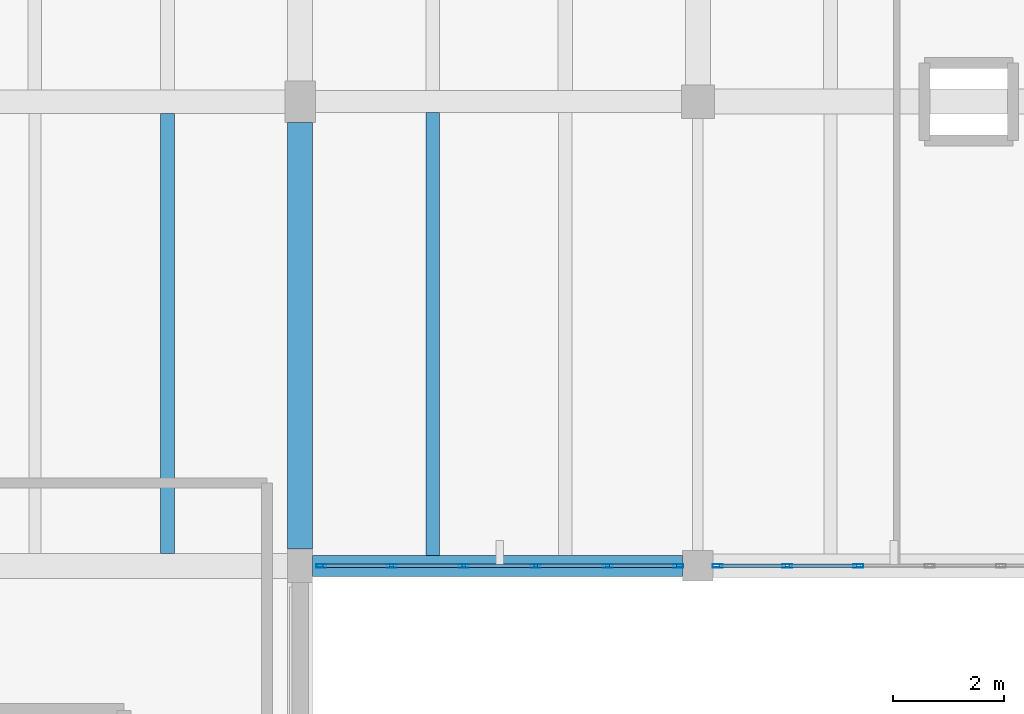
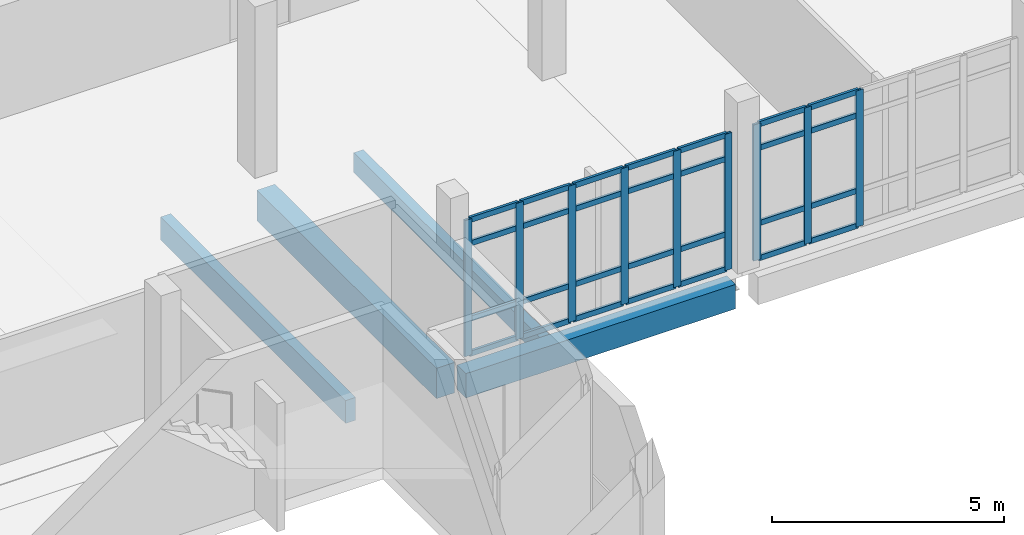
# One storey, part 13 of 41: 37 members, 4 beams, 2 elements without a shape of their own.
"""IFC4 building model written with IfcOpenShell, lengths in metres."""

from ifc_helpers import new_model, si_unit, direction, frame, origin, origin_2d, place, context, subcontext, project, spatial, rectangle, hollow_rectangle, extrude, material, material_profile, profile_set, type_object, element, aggregate, save


model = new_model("IFC4")

# Units and contexts
model_context = context("Model", 3, precision=1e-05, world=origin(), true_north=direction((0.0, 1.0)))
body_context = subcontext(model_context, "Body", "Model", "MODEL_VIEW")
ifc_project = project(units=[si_unit("LENGTHUNIT", "METRE"), si_unit("AREAUNIT", "SQUARE_METRE"), si_unit("VOLUMEUNIT", "CUBIC_METRE"), si_unit("PLANEANGLEUNIT", "RADIAN"), si_unit("MASSUNIT", "GRAM", prefix="KILO")], contexts=[model_context])

# Site, building, storey
site_placement = place(None, origin())
site = spatial("IfcSite", under=ifc_project, at=site_placement, CompositionType="ELEMENT")
building_placement = place(site_placement, origin())
building = spatial("IfcBuilding", under=site, at=building_placement, Name="Kalluvel Institute of Natural Sciences", CompositionType="ELEMENT")
storey_placement = place(building_placement, frame((0.0, 0.0, 32.39990234375)))
storey = spatial("IfcBuildingStorey", under=building, at=storey_placement, Name="L07", CompositionType="ELEMENT", Elevation=32.39990234375)

# Beams
ifc_material_1 = material(Name="Concrete M40", Category="concrete")
ifc_material_profile_1 = material_profile(ifc_material_1, rectangle(XDim=0.3798828125, YDim=0.639892578125, at=origin_2d()), Name="RCB 380x640")
ifc_profile_set_1 = profile_set([ifc_material_profile_1], Name="Concrete M40")
beam_type_1 = type_object("IfcBeamType", Name="BM-RC380x640", PredefinedType="BEAM", material=ifc_profile_set_1)
beam_1_placement = place(storey_placement, frame((57.425048828125, 102.800048828125, -0.639892578125), z_axis=(1.0, 0.0, 0.0), x_axis=(0.0, 1.0, 0.0)))
element("IfcBeam", 1, at=beam_1_placement, inside=storey, type_object=beam_type_1, Name="L07 girder GIR-L07-EW-X572-Y1028", PredefinedType="BEAM", context=body_context, shape_type="SweptSolid", body=[
    extrude(rectangle(XDim=0.3798828125, YDim=0.639892578125, at=origin_2d()), origin(), (0.0, 0.0, 1.0), 6.699951171875),
])
ifc_material_profile_2 = material_profile(ifc_material_1, rectangle(XDim=0.449951171875, YDim=0.800048828125, at=origin_2d()), Name="RCB 450x800")
ifc_profile_set_2 = profile_set([ifc_material_profile_2], Name="Concrete M40")
beam_type_2 = type_object("IfcBeamType", Name="BM-RC450x800", PredefinedType="BEAM", material=ifc_profile_set_2)
beam_2_placement = place(storey_placement, frame((57.199951171875, 103.10009765625, -0.719970703125), z_axis=(0.0, 1.0, 0.0), x_axis=(-1.0, 0.0, 0.0)))
element("IfcBeam", 2, at=beam_2_placement, inside=storey, type_object=beam_type_2, Name="L07 girder GIR-L07-NS-X572-Y1028", PredefinedType="BEAM", context=body_context, shape_type="SweptSolid", body=[
    extrude(rectangle(XDim=0.449951171875, YDim=0.800048828125, at=origin_2d()), origin(), (0.0, 0.0, 1.0), 7.724853515625),
])

# Curtain wall, members
ifc_material_2 = material(Name="Aluminium AW-6063 T6", Category="aluminium")
curtain_wall_type = type_object("IfcCurtainWallType", Name="CW-WET-45", PredefinedType="USERDEFINED", material=ifc_material_2)
curtain_wall_1_placement = place(storey_placement, origin())
curtain_wall_1 = element("IfcCurtainWall", 3, at=curtain_wall_1_placement, inside=storey, type_object=curtain_wall_type, Name="L07 Gothic lancet curtain wall CWA-L07-X576-Y1028", ObjectType="UNITISED LANCET FACADE", PredefinedType="USERDEFINED")
ifc_material_profile_3 = material_profile(ifc_material_2, hollow_rectangle(XDim=0.06494140625, YDim=0.179931640625, WallThickness=0.00439453125, at=origin_2d()), Name="CWM 65x180")
ifc_profile_set_3 = profile_set([ifc_material_profile_3], Name="Aluminium AW-6063 T6")
member_type_1 = type_object("IfcMemberType", Name="CWM-65x180", PredefinedType="MULLION", material=ifc_profile_set_3)
member_1_placement = place(storey_placement, frame((57.58251953125, 102.800048828125, 0.0), z_axis=(0.0, 0.0, 1.0), x_axis=(0.0, 1.0, 0.0)))
member_1 = element("IfcMember", 4, at=member_1_placement, type_object=member_type_1, Name="CW-01 mullion 1", PredefinedType="MULLION", context=body_context, shape_type="SweptSolid", body=[
    extrude(hollow_rectangle(XDim=0.06494140625, YDim=0.179931640625, WallThickness=0.00439453125, at=origin_2d()), origin(), (0.0, 0.0, 1.0), 3.580078125),
])
member_2_placement = place(storey_placement, frame((58.85498046875, 102.800048828125, 0.0), z_axis=(0.0, 0.0, 1.0), x_axis=(0.0, 1.0, 0.0)))
member_2 = element("IfcMember", 5, at=member_2_placement, type_object=member_type_1, Name="CW-01 mullion 2", PredefinedType="MULLION", context=body_context, shape_type="SweptSolid", body=[
    extrude(hollow_rectangle(XDim=0.06494140625, YDim=0.179931640625, WallThickness=0.00439453125, at=origin_2d()), origin(), (0.0, 0.0, 1.0), 3.580078125),
])
member_3_placement = place(storey_placement, frame((60.159912109375, 102.800048828125, 0.0), z_axis=(0.0, 0.0, 1.0), x_axis=(0.0, 1.0, 0.0)))
member_3 = element("IfcMember", 6, at=member_3_placement, type_object=member_type_1, Name="CW-01 mullion 3", PredefinedType="MULLION", context=body_context, shape_type="SweptSolid", body=[
    extrude(hollow_rectangle(XDim=0.06494140625, YDim=0.179931640625, WallThickness=0.00439453125, at=origin_2d()), origin(), (0.0, 0.0, 1.0), 3.580078125),
])
member_4_placement = place(storey_placement, frame((61.465087890625, 102.800048828125, 0.0), z_axis=(0.0, 0.0, 1.0), x_axis=(0.0, 1.0, 0.0)))
member_4 = element("IfcMember", 7, at=member_4_placement, type_object=member_type_1, Name="CW-01 mullion 4", PredefinedType="MULLION", context=body_context, shape_type="SweptSolid", body=[
    extrude(hollow_rectangle(XDim=0.06494140625, YDim=0.179931640625, WallThickness=0.00439453125, at=origin_2d()), origin(), (0.0, 0.0, 1.0), 3.580078125),
])
member_5_placement = place(storey_placement, frame((62.77001953125, 102.800048828125, 0.0), z_axis=(0.0, 0.0, 1.0), x_axis=(0.0, 1.0, 0.0)))
member_5 = element("IfcMember", 8, at=member_5_placement, type_object=member_type_1, Name="CW-01 mullion 5", PredefinedType="MULLION", context=body_context, shape_type="SweptSolid", body=[
    extrude(hollow_rectangle(XDim=0.06494140625, YDim=0.179931640625, WallThickness=0.00439453125, at=origin_2d()), origin(), (0.0, 0.0, 1.0), 3.580078125),
])
member_6_placement = place(storey_placement, frame((64.04248046875, 102.800048828125, 0.0), z_axis=(0.0, 0.0, 1.0), x_axis=(0.0, 1.0, 0.0)))
member_6 = element("IfcMember", 9, at=member_6_placement, type_object=member_type_1, Name="CW-01 mullion 6", PredefinedType="MULLION", context=body_context, shape_type="SweptSolid", body=[
    extrude(hollow_rectangle(XDim=0.06494140625, YDim=0.179931640625, WallThickness=0.00439453125, at=origin_2d()), origin(), (0.0, 0.0, 1.0), 3.580078125),
])

curtain_wall_2_placement = place(storey_placement, origin())
curtain_wall_2 = element("IfcCurtainWall", 10, at=curtain_wall_2_placement, inside=storey, type_object=curtain_wall_type, Name="L07 Gothic lancet curtain wall CWA-L07-X647-Y1028", ObjectType="UNITISED LANCET FACADE", PredefinedType="USERDEFINED")
member_7_placement = place(storey_placement, frame((64.757568359375, 102.800048828125, 0.0), z_axis=(0.0, 0.0, 1.0), x_axis=(0.0, 1.0, 0.0)))
member_7 = element("IfcMember", 11, at=member_7_placement, type_object=member_type_1, Name="CW-01 mullion 1", PredefinedType="MULLION", context=body_context, shape_type="SweptSolid", body=[
    extrude(hollow_rectangle(XDim=0.06494140625, YDim=0.179931640625, WallThickness=0.00439453125, at=origin_2d()), origin(), (0.0, 0.0, 1.0), 3.580078125),
])
member_8_placement = place(storey_placement, frame((66.014892578125, 102.800048828125, 0.0), z_axis=(0.0, 0.0, 1.0), x_axis=(0.0, 1.0, 0.0)))
member_8 = element("IfcMember", 12, at=member_8_placement, type_object=member_type_1, Name="CW-01 mullion 2", PredefinedType="MULLION", context=body_context, shape_type="SweptSolid", body=[
    extrude(hollow_rectangle(XDim=0.06494140625, YDim=0.179931640625, WallThickness=0.00439453125, at=origin_2d()), origin(), (0.0, 0.0, 1.0), 3.580078125),
])
member_9_placement = place(storey_placement, frame((67.304931640625, 102.800048828125, 0.0), z_axis=(0.0, 0.0, 1.0), x_axis=(0.0, 1.0, 0.0)))
member_9 = element("IfcMember", 13, at=member_9_placement, type_object=member_type_1, Name="CW-01 mullion 3", PredefinedType="MULLION", context=body_context, shape_type="SweptSolid", body=[
    extrude(hollow_rectangle(XDim=0.06494140625, YDim=0.179931640625, WallThickness=0.00439453125, at=origin_2d()), origin(), (0.0, 0.0, 1.0), 3.580078125),
])

# Member
ifc_material_profile_4 = material_profile(ifc_material_2, hollow_rectangle(XDim=0.06494140625, YDim=0.139892578125, WallThickness=0.00439453125, at=origin_2d()), Name="CWT 65x140")
ifc_profile_set_4 = profile_set([ifc_material_profile_4], Name="Aluminium AW-6063 T6")
member_type_2 = type_object("IfcMemberType", Name="CWT-65x140", PredefinedType="USERDEFINED", material=ifc_profile_set_4)
member_10_placement = place(storey_placement, frame((57.614990234375, 102.800048828125, 0.03271484375), z_axis=(1.0, 0.0, 0.0), x_axis=(0.0, 1.0, 0.0)))
member_10 = element("IfcMember", 14, at=member_10_placement, type_object=member_type_2, Name="CW-01 transom 1.1", ObjectType="TRANSOM", PredefinedType="USERDEFINED", context=body_context, shape_type="SweptSolid", body=[
    extrude(hollow_rectangle(XDim=0.06494140625, YDim=0.139892578125, WallThickness=0.00439453125, at=origin_2d()), origin(), (0.0, 0.0, 1.0), 1.20751953125),
])

member_11_placement = place(storey_placement, frame((57.614990234375, 102.800048828125, 0.9501953125), z_axis=(1.0, 0.0, 0.0), x_axis=(0.0, 1.0, 0.0)))
member_11 = element("IfcMember", 15, at=member_11_placement, type_object=member_type_2, Name="CW-01 transom 1.2", ObjectType="TRANSOM", PredefinedType="USERDEFINED", context=body_context, shape_type="SweptSolid", body=[
    extrude(hollow_rectangle(XDim=0.06494140625, YDim=0.139892578125, WallThickness=0.00439453125, at=origin_2d()), origin(), (0.0, 0.0, 1.0), 1.20751953125),
])

member_12_placement = place(storey_placement, frame((57.614990234375, 102.800048828125, 2.93017578125), z_axis=(1.0, 0.0, 0.0), x_axis=(0.0, 1.0, 0.0)))
member_12 = element("IfcMember", 16, at=member_12_placement, type_object=member_type_2, Name="CW-01 transom 1.3", ObjectType="TRANSOM", PredefinedType="USERDEFINED", context=body_context, shape_type="SweptSolid", body=[
    extrude(hollow_rectangle(XDim=0.06494140625, YDim=0.139892578125, WallThickness=0.00439453125, at=origin_2d()), origin(), (0.0, 0.0, 1.0), 1.20751953125),
])

member_13_placement = place(storey_placement, frame((57.614990234375, 102.800048828125, 3.547607421875), z_axis=(1.0, 0.0, 0.0), x_axis=(0.0, 1.0, 0.0)))
member_13 = element("IfcMember", 17, at=member_13_placement, type_object=member_type_2, Name="CW-01 transom 1.4", ObjectType="TRANSOM", PredefinedType="USERDEFINED", context=body_context, shape_type="SweptSolid", body=[
    extrude(hollow_rectangle(XDim=0.06494140625, YDim=0.139892578125, WallThickness=0.00439453125, at=origin_2d()), origin(), (0.0, 0.0, 1.0), 1.20751953125),
])

member_14_placement = place(storey_placement, frame((58.887451171875, 102.800048828125, 0.03271484375), z_axis=(1.0, 0.0, 0.0), x_axis=(0.0, 1.0, 0.0)))
member_14 = element("IfcMember", 18, at=member_14_placement, type_object=member_type_2, Name="CW-01 transom 2.1", ObjectType="TRANSOM", PredefinedType="USERDEFINED", context=body_context, shape_type="SweptSolid", body=[
    extrude(hollow_rectangle(XDim=0.06494140625, YDim=0.139892578125, WallThickness=0.00439453125, at=origin_2d()), origin(), (0.0, 0.0, 1.0), 1.239990234375),
])

member_15_placement = place(storey_placement, frame((58.887451171875, 102.800048828125, 0.9501953125), z_axis=(1.0, 0.0, 0.0), x_axis=(0.0, 1.0, 0.0)))
member_15 = element("IfcMember", 19, at=member_15_placement, type_object=member_type_2, Name="CW-01 transom 2.2", ObjectType="TRANSOM", PredefinedType="USERDEFINED", context=body_context, shape_type="SweptSolid", body=[
    extrude(hollow_rectangle(XDim=0.06494140625, YDim=0.139892578125, WallThickness=0.00439453125, at=origin_2d()), origin(), (0.0, 0.0, 1.0), 1.239990234375),
])

member_16_placement = place(storey_placement, frame((58.887451171875, 102.800048828125, 2.93017578125), z_axis=(1.0, 0.0, 0.0), x_axis=(0.0, 1.0, 0.0)))
member_16 = element("IfcMember", 20, at=member_16_placement, type_object=member_type_2, Name="CW-01 transom 2.3", ObjectType="TRANSOM", PredefinedType="USERDEFINED", context=body_context, shape_type="SweptSolid", body=[
    extrude(hollow_rectangle(XDim=0.06494140625, YDim=0.139892578125, WallThickness=0.00439453125, at=origin_2d()), origin(), (0.0, 0.0, 1.0), 1.239990234375),
])

member_17_placement = place(storey_placement, frame((58.887451171875, 102.800048828125, 3.547607421875), z_axis=(1.0, 0.0, 0.0), x_axis=(0.0, 1.0, 0.0)))
member_17 = element("IfcMember", 21, at=member_17_placement, type_object=member_type_2, Name="CW-01 transom 2.4", ObjectType="TRANSOM", PredefinedType="USERDEFINED", context=body_context, shape_type="SweptSolid", body=[
    extrude(hollow_rectangle(XDim=0.06494140625, YDim=0.139892578125, WallThickness=0.00439453125, at=origin_2d()), origin(), (0.0, 0.0, 1.0), 1.239990234375),
])

member_18_placement = place(storey_placement, frame((60.1923828125, 102.800048828125, 0.03271484375), z_axis=(1.0, 0.0, 0.0), x_axis=(0.0, 1.0, 0.0)))
member_18 = element("IfcMember", 22, at=member_18_placement, type_object=member_type_2, Name="CW-01 transom 3.1", ObjectType="TRANSOM", PredefinedType="USERDEFINED", context=body_context, shape_type="SweptSolid", body=[
    extrude(hollow_rectangle(XDim=0.06494140625, YDim=0.139892578125, WallThickness=0.00439453125, at=origin_2d()), origin(), (0.0, 0.0, 1.0), 1.240234375),
])

member_19_placement = place(storey_placement, frame((60.1923828125, 102.800048828125, 0.9501953125), z_axis=(1.0, 0.0, 0.0), x_axis=(0.0, 1.0, 0.0)))
member_19 = element("IfcMember", 23, at=member_19_placement, type_object=member_type_2, Name="CW-01 transom 3.2", ObjectType="TRANSOM", PredefinedType="USERDEFINED", context=body_context, shape_type="SweptSolid", body=[
    extrude(hollow_rectangle(XDim=0.06494140625, YDim=0.139892578125, WallThickness=0.00439453125, at=origin_2d()), origin(), (0.0, 0.0, 1.0), 1.240234375),
])

member_20_placement = place(storey_placement, frame((60.1923828125, 102.800048828125, 2.93017578125), z_axis=(1.0, 0.0, 0.0), x_axis=(0.0, 1.0, 0.0)))
member_20 = element("IfcMember", 24, at=member_20_placement, type_object=member_type_2, Name="CW-01 transom 3.3", ObjectType="TRANSOM", PredefinedType="USERDEFINED", context=body_context, shape_type="SweptSolid", body=[
    extrude(hollow_rectangle(XDim=0.06494140625, YDim=0.139892578125, WallThickness=0.00439453125, at=origin_2d()), origin(), (0.0, 0.0, 1.0), 1.240234375),
])

member_21_placement = place(storey_placement, frame((60.1923828125, 102.800048828125, 3.547607421875), z_axis=(1.0, 0.0, 0.0), x_axis=(0.0, 1.0, 0.0)))
member_21 = element("IfcMember", 25, at=member_21_placement, type_object=member_type_2, Name="CW-01 transom 3.4", ObjectType="TRANSOM", PredefinedType="USERDEFINED", context=body_context, shape_type="SweptSolid", body=[
    extrude(hollow_rectangle(XDim=0.06494140625, YDim=0.139892578125, WallThickness=0.00439453125, at=origin_2d()), origin(), (0.0, 0.0, 1.0), 1.240234375),
])

member_22_placement = place(storey_placement, frame((61.49755859375, 102.800048828125, 0.03271484375), z_axis=(1.0, 0.0, 0.0), x_axis=(0.0, 1.0, 0.0)))
member_22 = element("IfcMember", 26, at=member_22_placement, type_object=member_type_2, Name="CW-01 transom 4.1", ObjectType="TRANSOM", PredefinedType="USERDEFINED", context=body_context, shape_type="SweptSolid", body=[
    extrude(hollow_rectangle(XDim=0.06494140625, YDim=0.139892578125, WallThickness=0.00439453125, at=origin_2d()), origin(), (0.0, 0.0, 1.0), 1.239990234375),
])

member_23_placement = place(storey_placement, frame((61.49755859375, 102.800048828125, 0.9501953125), z_axis=(1.0, 0.0, 0.0), x_axis=(0.0, 1.0, 0.0)))
member_23 = element("IfcMember", 27, at=member_23_placement, type_object=member_type_2, Name="CW-01 transom 4.2", ObjectType="TRANSOM", PredefinedType="USERDEFINED", context=body_context, shape_type="SweptSolid", body=[
    extrude(hollow_rectangle(XDim=0.06494140625, YDim=0.139892578125, WallThickness=0.00439453125, at=origin_2d()), origin(), (0.0, 0.0, 1.0), 1.239990234375),
])

member_24_placement = place(storey_placement, frame((61.49755859375, 102.800048828125, 2.93017578125), z_axis=(1.0, 0.0, 0.0), x_axis=(0.0, 1.0, 0.0)))
member_24 = element("IfcMember", 28, at=member_24_placement, type_object=member_type_2, Name="CW-01 transom 4.3", ObjectType="TRANSOM", PredefinedType="USERDEFINED", context=body_context, shape_type="SweptSolid", body=[
    extrude(hollow_rectangle(XDim=0.06494140625, YDim=0.139892578125, WallThickness=0.00439453125, at=origin_2d()), origin(), (0.0, 0.0, 1.0), 1.239990234375),
])

member_25_placement = place(storey_placement, frame((61.49755859375, 102.800048828125, 3.547607421875), z_axis=(1.0, 0.0, 0.0), x_axis=(0.0, 1.0, 0.0)))
member_25 = element("IfcMember", 29, at=member_25_placement, type_object=member_type_2, Name="CW-01 transom 4.4", ObjectType="TRANSOM", PredefinedType="USERDEFINED", context=body_context, shape_type="SweptSolid", body=[
    extrude(hollow_rectangle(XDim=0.06494140625, YDim=0.139892578125, WallThickness=0.00439453125, at=origin_2d()), origin(), (0.0, 0.0, 1.0), 1.239990234375),
])

member_26_placement = place(storey_placement, frame((62.802490234375, 102.800048828125, 0.03271484375), z_axis=(1.0, 0.0, 0.0), x_axis=(0.0, 1.0, 0.0)))
member_26 = element("IfcMember", 30, at=member_26_placement, type_object=member_type_2, Name="CW-01 transom 5.1", ObjectType="TRANSOM", PredefinedType="USERDEFINED", context=body_context, shape_type="SweptSolid", body=[
    extrude(hollow_rectangle(XDim=0.06494140625, YDim=0.139892578125, WallThickness=0.00439453125, at=origin_2d()), origin(), (0.0, 0.0, 1.0), 1.20751953125),
])

member_27_placement = place(storey_placement, frame((62.802490234375, 102.800048828125, 0.9501953125), z_axis=(1.0, 0.0, 0.0), x_axis=(0.0, 1.0, 0.0)))
member_27 = element("IfcMember", 31, at=member_27_placement, type_object=member_type_2, Name="CW-01 transom 5.2", ObjectType="TRANSOM", PredefinedType="USERDEFINED", context=body_context, shape_type="SweptSolid", body=[
    extrude(hollow_rectangle(XDim=0.06494140625, YDim=0.139892578125, WallThickness=0.00439453125, at=origin_2d()), origin(), (0.0, 0.0, 1.0), 1.20751953125),
])

member_28_placement = place(storey_placement, frame((62.802490234375, 102.800048828125, 2.93017578125), z_axis=(1.0, 0.0, 0.0), x_axis=(0.0, 1.0, 0.0)))
member_28 = element("IfcMember", 32, at=member_28_placement, type_object=member_type_2, Name="CW-01 transom 5.3", ObjectType="TRANSOM", PredefinedType="USERDEFINED", context=body_context, shape_type="SweptSolid", body=[
    extrude(hollow_rectangle(XDim=0.06494140625, YDim=0.139892578125, WallThickness=0.00439453125, at=origin_2d()), origin(), (0.0, 0.0, 1.0), 1.20751953125),
])

member_29_placement = place(storey_placement, frame((62.802490234375, 102.800048828125, 3.547607421875), z_axis=(1.0, 0.0, 0.0), x_axis=(0.0, 1.0, 0.0)))
member_29 = element("IfcMember", 33, at=member_29_placement, type_object=member_type_2, Name="CW-01 transom 5.4", ObjectType="TRANSOM", PredefinedType="USERDEFINED", context=body_context, shape_type="SweptSolid", body=[
    extrude(hollow_rectangle(XDim=0.06494140625, YDim=0.139892578125, WallThickness=0.00439453125, at=origin_2d()), origin(), (0.0, 0.0, 1.0), 1.20751953125),
])

aggregate(curtain_wall_1, [member_1, member_2, member_3, member_4, member_5, member_6, member_10, member_11, member_12, member_13, member_14, member_15, member_16, member_17, member_18, member_19, member_20, member_21, member_22, member_23, member_24, member_25, member_26, member_27, member_28, member_29])

member_30_placement = place(storey_placement, frame((64.7900390625, 102.800048828125, 0.03271484375), z_axis=(1.0, 0.0, 0.0), x_axis=(0.0, 1.0, 0.0)))
member_30 = element("IfcMember", 34, at=member_30_placement, type_object=member_type_2, Name="CW-01 transom 1.1", ObjectType="TRANSOM", PredefinedType="USERDEFINED", context=body_context, shape_type="SweptSolid", body=[
    extrude(hollow_rectangle(XDim=0.06494140625, YDim=0.139892578125, WallThickness=0.00439453125, at=origin_2d()), origin(), (0.0, 0.0, 1.0), 1.1923828125),
])

member_31_placement = place(storey_placement, frame((64.7900390625, 102.800048828125, 0.9501953125), z_axis=(1.0, 0.0, 0.0), x_axis=(0.0, 1.0, 0.0)))
member_31 = element("IfcMember", 35, at=member_31_placement, type_object=member_type_2, Name="CW-01 transom 1.2", ObjectType="TRANSOM", PredefinedType="USERDEFINED", context=body_context, shape_type="SweptSolid", body=[
    extrude(hollow_rectangle(XDim=0.06494140625, YDim=0.139892578125, WallThickness=0.00439453125, at=origin_2d()), origin(), (0.0, 0.0, 1.0), 1.1923828125),
])

member_32_placement = place(storey_placement, frame((64.7900390625, 102.800048828125, 2.93017578125), z_axis=(1.0, 0.0, 0.0), x_axis=(0.0, 1.0, 0.0)))
member_32 = element("IfcMember", 36, at=member_32_placement, type_object=member_type_2, Name="CW-01 transom 1.3", ObjectType="TRANSOM", PredefinedType="USERDEFINED", context=body_context, shape_type="SweptSolid", body=[
    extrude(hollow_rectangle(XDim=0.06494140625, YDim=0.139892578125, WallThickness=0.00439453125, at=origin_2d()), origin(), (0.0, 0.0, 1.0), 1.1923828125),
])

member_33_placement = place(storey_placement, frame((64.7900390625, 102.800048828125, 3.547607421875), z_axis=(1.0, 0.0, 0.0), x_axis=(0.0, 1.0, 0.0)))
member_33 = element("IfcMember", 37, at=member_33_placement, type_object=member_type_2, Name="CW-01 transom 1.4", ObjectType="TRANSOM", PredefinedType="USERDEFINED", context=body_context, shape_type="SweptSolid", body=[
    extrude(hollow_rectangle(XDim=0.06494140625, YDim=0.139892578125, WallThickness=0.00439453125, at=origin_2d()), origin(), (0.0, 0.0, 1.0), 1.1923828125),
])

member_34_placement = place(storey_placement, frame((66.047607421875, 102.800048828125, 0.03271484375), z_axis=(1.0, 0.0, 0.0), x_axis=(0.0, 1.0, 0.0)))
member_34 = element("IfcMember", 38, at=member_34_placement, type_object=member_type_2, Name="CW-01 transom 2.1", ObjectType="TRANSOM", PredefinedType="USERDEFINED", context=body_context, shape_type="SweptSolid", body=[
    extrude(hollow_rectangle(XDim=0.06494140625, YDim=0.139892578125, WallThickness=0.00439453125, at=origin_2d()), origin(), (0.0, 0.0, 1.0), 1.224853515625),
])

member_35_placement = place(storey_placement, frame((66.047607421875, 102.800048828125, 0.9501953125), z_axis=(1.0, 0.0, 0.0), x_axis=(0.0, 1.0, 0.0)))
member_35 = element("IfcMember", 39, at=member_35_placement, type_object=member_type_2, Name="CW-01 transom 2.2", ObjectType="TRANSOM", PredefinedType="USERDEFINED", context=body_context, shape_type="SweptSolid", body=[
    extrude(hollow_rectangle(XDim=0.06494140625, YDim=0.139892578125, WallThickness=0.00439453125, at=origin_2d()), origin(), (0.0, 0.0, 1.0), 1.224853515625),
])

member_36_placement = place(storey_placement, frame((66.047607421875, 102.800048828125, 2.93017578125), z_axis=(1.0, 0.0, 0.0), x_axis=(0.0, 1.0, 0.0)))
member_36 = element("IfcMember", 40, at=member_36_placement, type_object=member_type_2, Name="CW-01 transom 2.3", ObjectType="TRANSOM", PredefinedType="USERDEFINED", context=body_context, shape_type="SweptSolid", body=[
    extrude(hollow_rectangle(XDim=0.06494140625, YDim=0.139892578125, WallThickness=0.00439453125, at=origin_2d()), origin(), (0.0, 0.0, 1.0), 1.224853515625),
])

member_37_placement = place(storey_placement, frame((66.047607421875, 102.800048828125, 3.547607421875), z_axis=(1.0, 0.0, 0.0), x_axis=(0.0, 1.0, 0.0)))
member_37 = element("IfcMember", 41, at=member_37_placement, type_object=member_type_2, Name="CW-01 transom 2.4", ObjectType="TRANSOM", PredefinedType="USERDEFINED", context=body_context, shape_type="SweptSolid", body=[
    extrude(hollow_rectangle(XDim=0.06494140625, YDim=0.139892578125, WallThickness=0.00439453125, at=origin_2d()), origin(), (0.0, 0.0, 1.0), 1.224853515625),
])

aggregate(curtain_wall_2, [member_7, member_8, member_9, member_30, member_31, member_32, member_33, member_34, member_35, member_36, member_37])

# Beams
ifc_material_profile_5 = material_profile(ifc_material_1, rectangle(XDim=0.239990234375, YDim=0.52001953125, at=origin_2d()), Name="WAF 240x520")
ifc_profile_set_5 = profile_set([ifc_material_profile_5], Name="Concrete M40")
beam_type_3 = type_object("IfcBeamType", Name="WJ-240x520", PredefinedType="JOIST", material=ifc_profile_set_5)
beam_3_placement = place(storey_placement, frame((59.60009765625, 102.989990234375, -0.579833984375), z_axis=(0.0, 1.0, 0.0), x_axis=(-1.0, 0.0, 0.0)))
element("IfcBeam", 42, at=beam_3_placement, inside=storey, type_object=beam_type_3, Name="L07 waffle joist RIB-L07-0544", PredefinedType="JOIST", context=body_context, shape_type="SweptSolid", body=[
    extrude(rectangle(XDim=0.239990234375, YDim=0.52001953125, at=origin_2d()), origin(), (0.0, 0.0, 1.0), 8.010009765625),
])
ifc_material_profile_6 = material_profile(ifc_material_1, rectangle(XDim=0.25, YDim=0.60009765625, at=origin_2d()), Name="WAF 250x600")
ifc_profile_set_6 = profile_set([ifc_material_profile_6], Name="Concrete M40")
beam_type_4 = type_object("IfcBeamType", Name="WJ-250x600", PredefinedType="JOIST", material=ifc_profile_set_6)
beam_4_placement = place(storey_placement, frame((54.800048828125, 103.02490234375, -0.619873046875), z_axis=(0.0, 1.0, 0.0), x_axis=(-1.0, 0.0, 0.0)))
element("IfcBeam", 43, at=beam_4_placement, inside=storey, type_object=beam_type_4, Name="L07 waffle joist RIB-L07-0539", PredefinedType="JOIST", context=body_context, shape_type="SweptSolid", body=[
    extrude(rectangle(XDim=0.25, YDim=0.60009765625, at=origin_2d()), origin(), (0.0, 0.0, 1.0), 7.965087890625),
])

save(model, "model.ifc")
